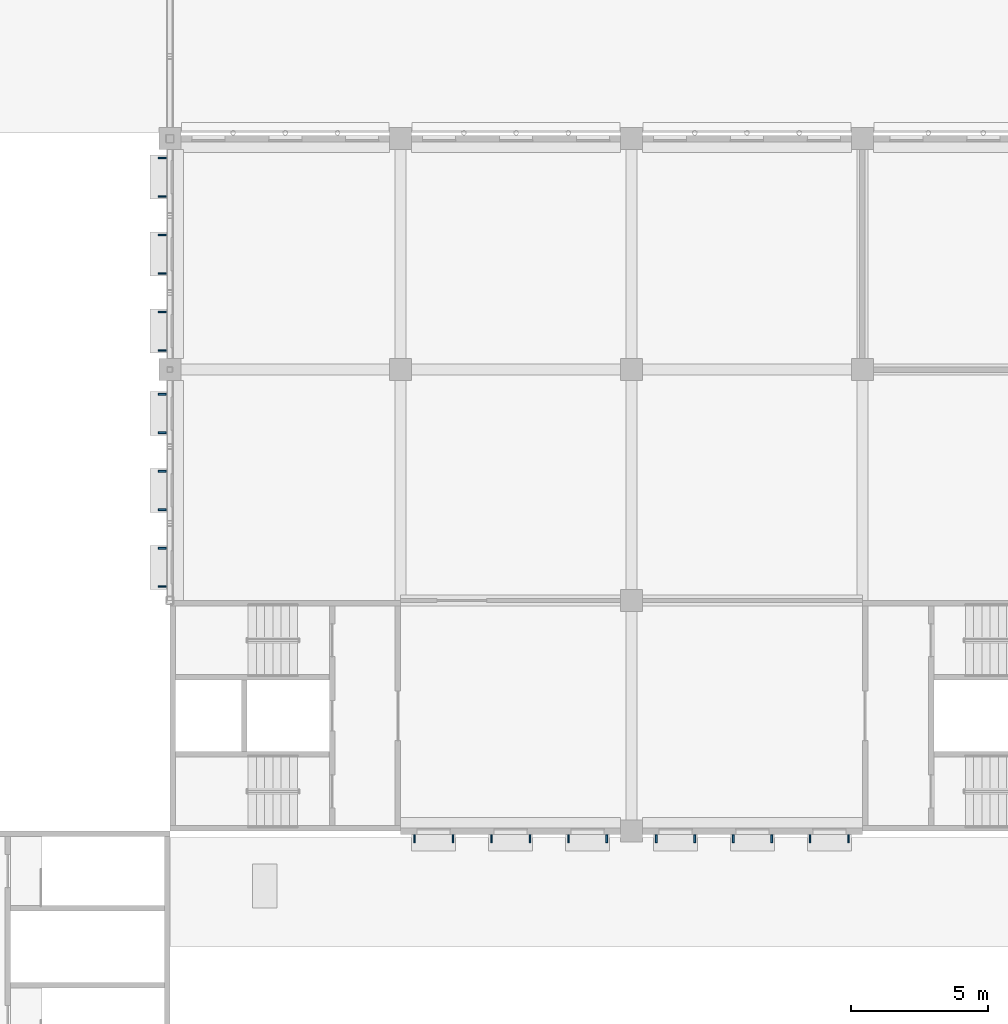
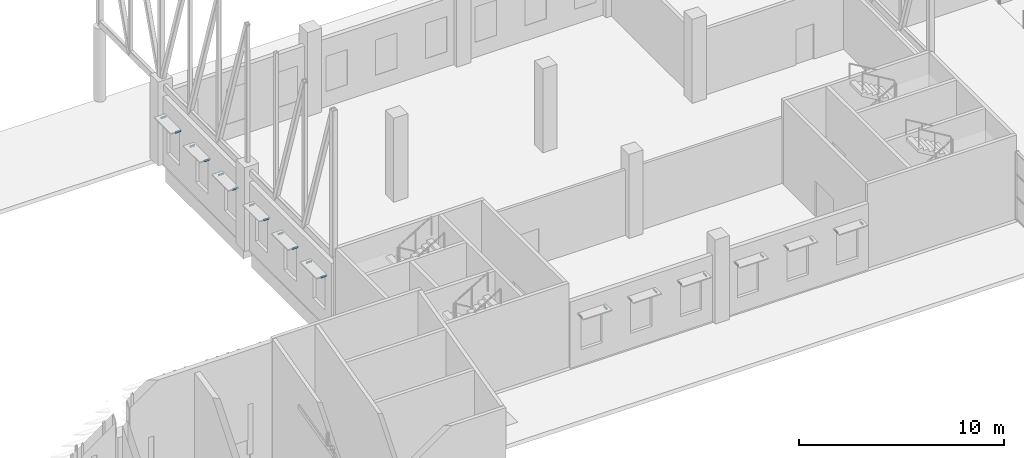
# One storey, part 51 of 101: 24 discrete accessories.
"""IFC4 building model written with IfcOpenShell, lengths in metres."""

from ifc_helpers import new_model, si_unit, direction, frame, origin, origin_2d, place, context, subcontext, project, spatial, rectangle, extrude, material, type_object, element, save


model = new_model("IFC4")

# Units and contexts
model_context = context("Model", 3, precision=1e-05, world=origin(), true_north=direction((0.0, 1.0)))
body_context = subcontext(model_context, "Body", "Model", "MODEL_VIEW")
ifc_project = project(units=[si_unit("LENGTHUNIT", "METRE"), si_unit("AREAUNIT", "SQUARE_METRE"), si_unit("VOLUMEUNIT", "CUBIC_METRE"), si_unit("PLANEANGLEUNIT", "RADIAN"), si_unit("MASSUNIT", "GRAM", prefix="KILO")], contexts=[model_context])

# Site, building, storey
site_placement = place(None, origin())
site = spatial("IfcSite", under=ifc_project, at=site_placement, CompositionType="ELEMENT")
building_placement = place(site_placement, origin())
building = spatial("IfcBuilding", under=site, at=building_placement, Name="Almond Square Museum", CompositionType="ELEMENT")
storey_placement = place(building_placement, frame((0.0, 0.0, 5.5)))
storey = spatial("IfcBuildingStorey", under=building, at=storey_placement, Name="L01", CompositionType="ELEMENT", Elevation=5.5)

# Discrete accessories
ifc_material = material(Name="Stainless steel", Category="steel")
discrete_accessory_type = type_object("IfcDiscreteAccessoryType", Name="Sun-shade blade bracket", PredefinedType="BRACKET", material=ifc_material)
for number, where, z_axis, x_axis, name in (
    (1, (39.326904296875, 101.5, 2.9970703125), (0.0, 0.0, 1.0), (1.0, 0.0, 0.0), "Bracket sun-shade blade"),
    (2, (39.326904296875, 102.89990234375, 2.9970703125), (0.0, 0.0, 1.0), (1.0, 0.0, 0.0), "Bracket sun-shade blade"),
    (3, (39.326904296875, 104.300048828125, 2.9970703125), (0.0, 0.0, 1.0), (1.0, 0.0, 0.0), "Bracket sun-shade blade"),
    (4, (39.326904296875, 105.699951171875, 2.9970703125), (0.0, 0.0, 1.0), (1.0, 0.0, 0.0), "Bracket sun-shade blade"),
    (5, (39.326904296875, 107.10009765625, 2.9970703125), (0.0, 0.0, 1.0), (1.0, 0.0, 0.0), "Bracket sun-shade blade"),
    (6, (39.326904296875, 108.5, 2.9970703125), (0.0, 0.0, 1.0), (1.0, 0.0, 0.0), "Bracket sun-shade blade"),
    (7, (39.326904296875, 92.89990234375, 2.9970703125), (0.0, 0.0, 1.0), (1.0, 0.0, 0.0), "Bracket sun-shade blade"),
    (8, (39.326904296875, 94.300048828125, 2.9970703125), (0.0, 0.0, 1.0), (1.0, 0.0, 0.0), "Bracket sun-shade blade"),
    (9, (39.326904296875, 95.699951171875, 2.9970703125), (0.0, 0.0, 1.0), (1.0, 0.0, 0.0), "Bracket sun-shade blade"),
    (10, (39.326904296875, 97.10009765625, 2.9970703125), (0.0, 0.0, 1.0), (1.0, 0.0, 0.0), "Bracket sun-shade blade"),
    (11, (39.326904296875, 98.5, 2.9970703125), (0.0, 0.0, 1.0), (1.0, 0.0, 0.0), "Bracket sun-shade blade"),
    (12, (39.326904296875, 99.89990234375, 2.9970703125), (0.0, 0.0, 1.0), (1.0, 0.0, 0.0), "Bracket sun-shade blade"),
):
    element("IfcDiscreteAccessory", number, at=place(storey_placement, frame(where, z_axis=z_axis, x_axis=x_axis)), inside=storey, type_object=discrete_accessory_type, Name=name, PredefinedType="BRACKET", context=body_context, shape_type="SweptSolid", body=[
        extrude(rectangle(XDim=0.300048828125, YDim=0.06005859375, at=origin_2d()), origin(), (0.0, 0.0, 1.0), 0.10009765625),
    ])
for number, where, z_axis, x_axis, name in (
    (13, (48.5, 83.72705078125, 2.9970703125), (0.0, 0.0, 1.0), (1.0, 0.0, 0.0), "Bracket sun-shade blade"),
    (14, (49.89990234375, 83.72705078125, 2.9970703125), (0.0, 0.0, 1.0), (1.0, 0.0, 0.0), "Bracket sun-shade blade"),
    (15, (51.300048828125, 83.72705078125, 2.9970703125), (0.0, 0.0, 1.0), (1.0, 0.0, 0.0), "Bracket sun-shade blade"),
    (16, (52.699951171875, 83.72705078125, 2.9970703125), (0.0, 0.0, 1.0), (1.0, 0.0, 0.0), "Bracket sun-shade blade"),
    (17, (54.10009765625, 83.72705078125, 2.9970703125), (0.0, 0.0, 1.0), (1.0, 0.0, 0.0), "Bracket sun-shade blade"),
    (18, (55.5, 83.72705078125, 2.9970703125), (0.0, 0.0, 1.0), (1.0, 0.0, 0.0), "Bracket sun-shade blade"),
    (19, (57.300048828125, 83.72705078125, 2.9970703125), (0.0, 0.0, 1.0), (1.0, 0.0, 0.0), "Bracket sun-shade blade"),
    (20, (58.699951171875, 83.72705078125, 2.9970703125), (0.0, 0.0, 1.0), (1.0, 0.0, 0.0), "Bracket sun-shade blade"),
    (21, (60.10009765625, 83.72705078125, 2.9970703125), (0.0, 0.0, 1.0), (1.0, 0.0, 0.0), "Bracket sun-shade blade"),
    (22, (61.5, 83.72705078125, 2.9970703125), (0.0, 0.0, 1.0), (1.0, 0.0, 0.0), "Bracket sun-shade blade"),
    (23, (62.89990234375, 83.72705078125, 2.9970703125), (0.0, 0.0, 1.0), (1.0, 0.0, 0.0), "Bracket sun-shade blade"),
    (24, (64.300048828125, 83.72705078125, 2.9970703125), (0.0, 0.0, 1.0), (1.0, 0.0, 0.0), "Bracket sun-shade blade"),
):
    element("IfcDiscreteAccessory", number, at=place(storey_placement, frame(where, z_axis=z_axis, x_axis=x_axis)), inside=storey, type_object=discrete_accessory_type, Name=name, PredefinedType="BRACKET", context=body_context, shape_type="SweptSolid", body=[
        extrude(rectangle(XDim=0.06005859375, YDim=0.300048828125, at=origin_2d()), origin(), (0.0, 0.0, 1.0), 0.10009765625),
    ])

save(model, "model.ifc")
